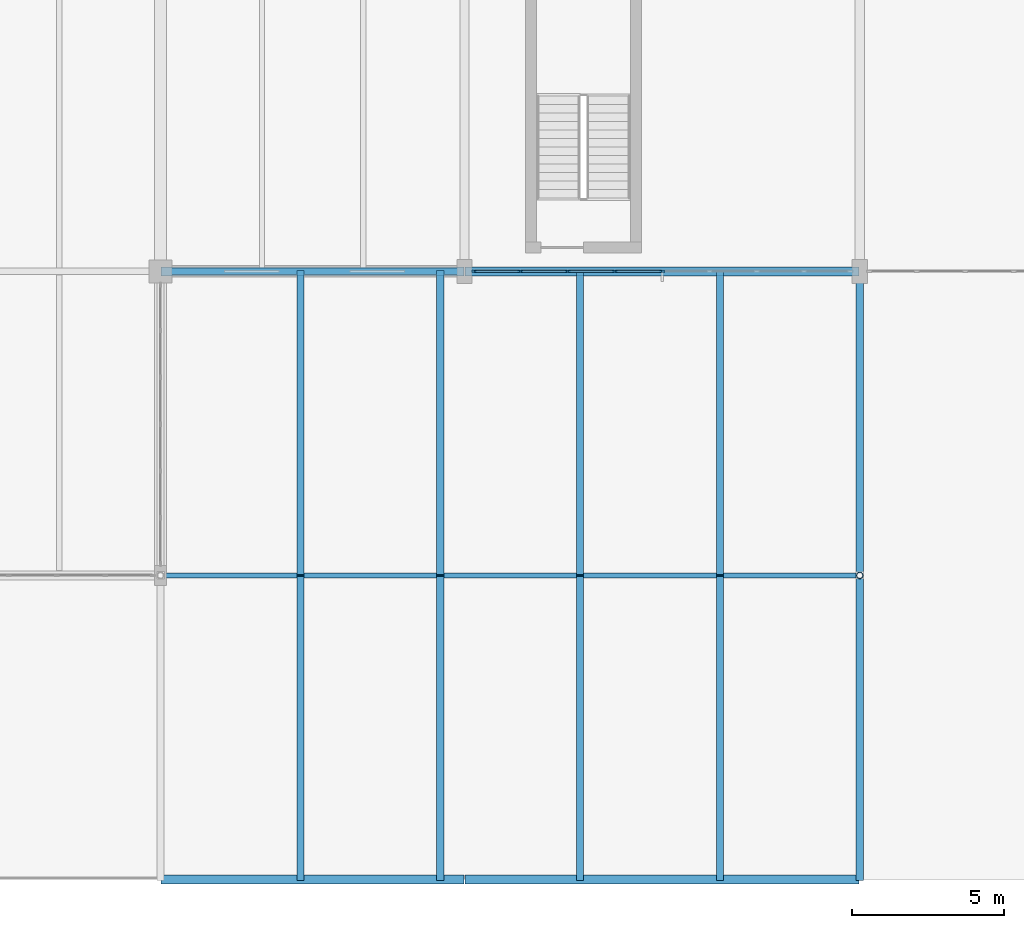
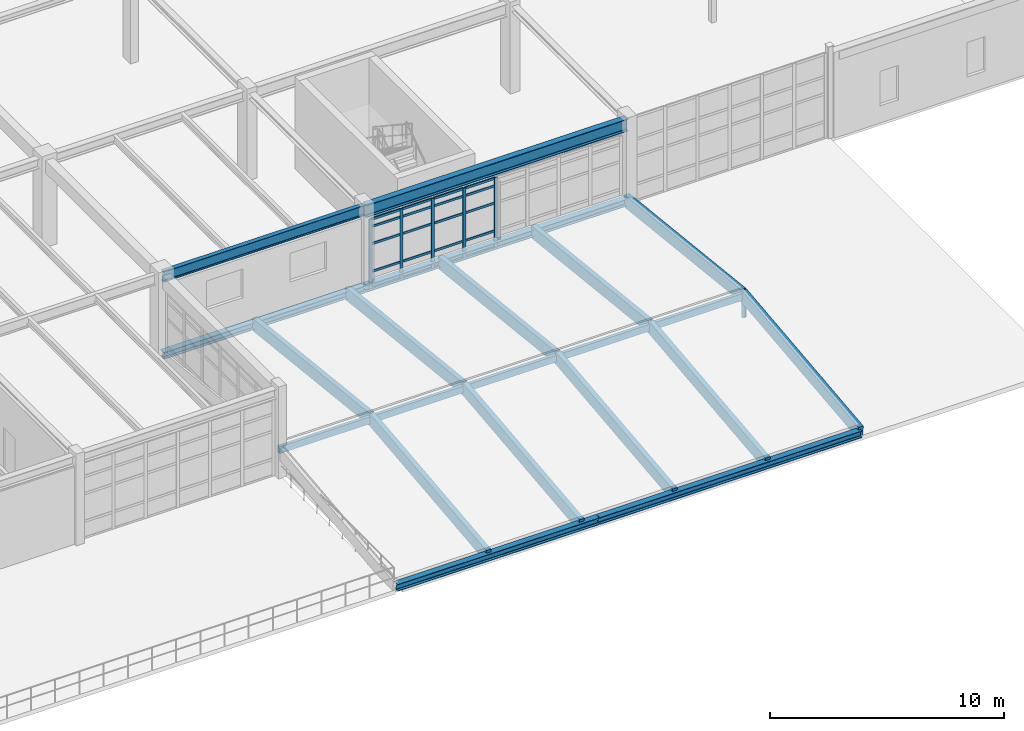
# One storey, part 28 of 139: 36 members, 7 beams, 1 element without a shape of its own.
"""IFC4 building model written with IfcOpenShell, lengths in metres."""

from ifc_helpers import new_model, si_unit, direction, frame, origin, origin_2d, place, context, subcontext, project, spatial, rectangle, hollow_circle, i_section, extrude, material, layer, layer_set, material_profile, profile_set, type_object, element, aggregate, save


model = new_model("IFC4")

# Units and contexts
model_context = context("Model", 3, precision=1e-05, world=origin(), true_north=direction((0.0, 1.0)))
body_context = subcontext(model_context, "Body", "Model", "MODEL_VIEW")
ifc_project = project(units=[si_unit("LENGTHUNIT", "METRE"), si_unit("AREAUNIT", "SQUARE_METRE"), si_unit("VOLUMEUNIT", "CUBIC_METRE"), si_unit("PLANEANGLEUNIT", "RADIAN"), si_unit("MASSUNIT", "GRAM", prefix="KILO"), si_unit("THERMODYNAMICTEMPERATUREUNIT", "KELVIN"), si_unit("POWERUNIT", "WATT")], contexts=[model_context])

# Site, building, storey
site_placement = place(None, origin())
site = spatial("IfcSite", under=ifc_project, at=site_placement, CompositionType="ELEMENT")
building_placement = place(site_placement, origin())
building = spatial("IfcBuilding", under=site, at=building_placement, Name="Korenveer Ferry Terminal", CompositionType="ELEMENT")
storey_placement = place(building_placement, frame((0.0, 0.0, 5.39990234375)))
storey = spatial("IfcBuildingStorey", under=building, at=storey_placement, Name="L01", CompositionType="ELEMENT", Elevation=5.39990234375)

# Curtain wall, members
ifc_material_1 = material(Name="Unitised bronze-and-glass curtain wall", Category="glass")
ifc_layer = layer(ifc_material_1, 0.159912109375)
ifc_layer_set = layer_set([ifc_layer], Name="Unitised bronze-and-glass curtain wall")
curtain_wall_type = type_object("IfcCurtainWallType", Name="ENV-CW-38", PredefinedType="USERDEFINED", material=ifc_layer_set)
curtain_wall_placement = place(storey_placement, frame((40.280029296875, 20.0, 0.0)))
curtain_wall = element("IfcCurtainWall", 1, at=curtain_wall_placement, inside=storey, type_object=curtain_wall_type, Name="Lancet curtain wall CWX-L01-X40-53-Y20-20", ObjectType="UNITISED CURTAIN WALL", PredefinedType="USERDEFINED")
ifc_material_2 = material(Name="Anodised bronze aluminium", Category="aluminium")
ifc_material_profile_1 = material_profile(ifc_material_2, rectangle(XDim=0.06005859375, YDim=0.159912109375, at=origin_2d()), Name="ALU 60x160")
ifc_profile_set_1 = profile_set([ifc_material_profile_1], Name="Anodised bronze aluminium")
member_type_1 = type_object("IfcMemberType", Name="ENV-CWM-60X160", PredefinedType="MULLION", material=ifc_profile_set_1)
member_1_placement = place(storey_placement, frame((40.31005859375, 20.0, 0.0), z_axis=(0.0, 0.0, 1.0), x_axis=(0.0, 1.0, 0.0)))
member_1 = element("IfcMember", 2, at=member_1_placement, type_object=member_type_1, Name="CW-38 mullion 1", PredefinedType="MULLION", context=body_context, shape_type="SweptSolid", body=[
    extrude(rectangle(XDim=0.06005859375, YDim=0.159912109375, at=origin_2d()), origin(), (0.0, 0.0, 1.0), 3.670166015625),
])
member_2_placement = place(storey_placement, frame((41.8349609375, 20.0, 0.0), z_axis=(0.0, 0.0, 1.0), x_axis=(0.0, 1.0, 0.0)))
member_2 = element("IfcMember", 3, at=member_2_placement, type_object=member_type_1, Name="CW-38 mullion 2", PredefinedType="MULLION", context=body_context, shape_type="SweptSolid", body=[
    extrude(rectangle(XDim=0.06005859375, YDim=0.159912109375, at=origin_2d()), origin(), (0.0, 0.0, 1.0), 3.670166015625),
])
member_3_placement = place(storey_placement, frame((43.389892578125, 20.0, 0.0), z_axis=(0.0, 0.0, 1.0), x_axis=(0.0, 1.0, 0.0)))
member_3 = element("IfcMember", 4, at=member_3_placement, type_object=member_type_1, Name="CW-38 mullion 3", PredefinedType="MULLION", context=body_context, shape_type="SweptSolid", body=[
    extrude(rectangle(XDim=0.06005859375, YDim=0.159912109375, at=origin_2d()), origin(), (0.0, 0.0, 1.0), 3.670166015625),
])
member_4_placement = place(storey_placement, frame((44.945068359375, 20.0, 0.0), z_axis=(0.0, 0.0, 1.0), x_axis=(0.0, 1.0, 0.0)))
member_4 = element("IfcMember", 5, at=member_4_placement, type_object=member_type_1, Name="CW-38 mullion 4", PredefinedType="MULLION", context=body_context, shape_type="SweptSolid", body=[
    extrude(rectangle(XDim=0.06005859375, YDim=0.159912109375, at=origin_2d()), origin(), (0.0, 0.0, 1.0), 3.670166015625),
])
member_5_placement = place(storey_placement, frame((46.5, 20.0, 0.0), z_axis=(0.0, 0.0, 1.0), x_axis=(0.0, 1.0, 0.0)))
member_5 = element("IfcMember", 6, at=member_5_placement, type_object=member_type_1, Name="CW-38 mullion 5", PredefinedType="MULLION", context=body_context, shape_type="SweptSolid", body=[
    extrude(rectangle(XDim=0.06005859375, YDim=0.159912109375, at=origin_2d()), origin(), (0.0, 0.0, 1.0), 3.670166015625),
])
ifc_material_profile_2 = material_profile(ifc_material_2, rectangle(XDim=0.06005859375, YDim=0.1201171875, at=origin_2d()), Name="ALU 60x120")
ifc_profile_set_2 = profile_set([ifc_material_profile_2], Name="Anodised bronze aluminium")
member_type_2 = type_object("IfcMemberType", Name="ENV-CWT-60X120", PredefinedType="USERDEFINED", material=ifc_profile_set_2)
member_6_placement = place(storey_placement, frame((40.340087890625, 20.0, 0.030029296875), z_axis=(1.0, 0.0, 0.0), x_axis=(0.0, 1.0, 0.0)))
member_6 = element("IfcMember", 7, at=member_6_placement, type_object=member_type_2, Name="CW-38 transom 1.1", ObjectType="TRANSOM", PredefinedType="USERDEFINED", context=body_context, shape_type="SweptSolid", body=[
    extrude(rectangle(XDim=0.06005859375, YDim=0.1201171875, at=origin_2d()), origin(), (0.0, 0.0, 1.0), 1.46484375),
])
member_7_placement = place(storey_placement, frame((40.340087890625, 20.0, 0.900146484375), z_axis=(1.0, 0.0, 0.0), x_axis=(0.0, 1.0, 0.0)))
member_7 = element("IfcMember", 8, at=member_7_placement, type_object=member_type_2, Name="CW-38 transom 1.2", ObjectType="TRANSOM", PredefinedType="USERDEFINED", context=body_context, shape_type="SweptSolid", body=[
    extrude(rectangle(XDim=0.06005859375, YDim=0.1201171875, at=origin_2d()), origin(), (0.0, 0.0, 1.0), 1.46484375),
])
member_8_placement = place(storey_placement, frame((40.340087890625, 20.0, 2.35009765625), z_axis=(1.0, 0.0, 0.0), x_axis=(0.0, 1.0, 0.0)))
member_8 = element("IfcMember", 9, at=member_8_placement, type_object=member_type_2, Name="CW-38 transom 1.3", ObjectType="TRANSOM", PredefinedType="USERDEFINED", context=body_context, shape_type="SweptSolid", body=[
    extrude(rectangle(XDim=0.06005859375, YDim=0.1201171875, at=origin_2d()), origin(), (0.0, 0.0, 1.0), 1.46484375),
])
member_9_placement = place(storey_placement, frame((40.340087890625, 20.0, 3.25), z_axis=(1.0, 0.0, 0.0), x_axis=(0.0, 1.0, 0.0)))
member_9 = element("IfcMember", 10, at=member_9_placement, type_object=member_type_2, Name="CW-38 transom 1.4", ObjectType="TRANSOM", PredefinedType="USERDEFINED", context=body_context, shape_type="SweptSolid", body=[
    extrude(rectangle(XDim=0.06005859375, YDim=0.1201171875, at=origin_2d()), origin(), (0.0, 0.0, 1.0), 1.46484375),
])
member_10_placement = place(storey_placement, frame((40.340087890625, 20.0, 3.64013671875), z_axis=(1.0, 0.0, 0.0), x_axis=(0.0, 1.0, 0.0)))
member_10 = element("IfcMember", 11, at=member_10_placement, type_object=member_type_2, Name="CW-38 transom 1.5", ObjectType="TRANSOM", PredefinedType="USERDEFINED", context=body_context, shape_type="SweptSolid", body=[
    extrude(rectangle(XDim=0.06005859375, YDim=0.1201171875, at=origin_2d()), origin(), (0.0, 0.0, 1.0), 1.46484375),
])
member_11_placement = place(storey_placement, frame((41.864990234375, 20.0, 0.030029296875), z_axis=(1.0, 0.0, 0.0), x_axis=(0.0, 1.0, 0.0)))
member_11 = element("IfcMember", 12, at=member_11_placement, type_object=member_type_2, Name="CW-38 transom 2.1", ObjectType="TRANSOM", PredefinedType="USERDEFINED", context=body_context, shape_type="SweptSolid", body=[
    extrude(rectangle(XDim=0.06005859375, YDim=0.1201171875, at=origin_2d()), origin(), (0.0, 0.0, 1.0), 1.4951171875),
])
member_12_placement = place(storey_placement, frame((41.864990234375, 20.0, 0.900146484375), z_axis=(1.0, 0.0, 0.0), x_axis=(0.0, 1.0, 0.0)))
member_12 = element("IfcMember", 13, at=member_12_placement, type_object=member_type_2, Name="CW-38 transom 2.2", ObjectType="TRANSOM", PredefinedType="USERDEFINED", context=body_context, shape_type="SweptSolid", body=[
    extrude(rectangle(XDim=0.06005859375, YDim=0.1201171875, at=origin_2d()), origin(), (0.0, 0.0, 1.0), 1.4951171875),
])
member_13_placement = place(storey_placement, frame((41.864990234375, 20.0, 2.35009765625), z_axis=(1.0, 0.0, 0.0), x_axis=(0.0, 1.0, 0.0)))
member_13 = element("IfcMember", 14, at=member_13_placement, type_object=member_type_2, Name="CW-38 transom 2.3", ObjectType="TRANSOM", PredefinedType="USERDEFINED", context=body_context, shape_type="SweptSolid", body=[
    extrude(rectangle(XDim=0.06005859375, YDim=0.1201171875, at=origin_2d()), origin(), (0.0, 0.0, 1.0), 1.4951171875),
])
member_14_placement = place(storey_placement, frame((41.864990234375, 20.0, 3.25), z_axis=(1.0, 0.0, 0.0), x_axis=(0.0, 1.0, 0.0)))
member_14 = element("IfcMember", 15, at=member_14_placement, type_object=member_type_2, Name="CW-38 transom 2.4", ObjectType="TRANSOM", PredefinedType="USERDEFINED", context=body_context, shape_type="SweptSolid", body=[
    extrude(rectangle(XDim=0.06005859375, YDim=0.1201171875, at=origin_2d()), origin(), (0.0, 0.0, 1.0), 1.4951171875),
])
member_15_placement = place(storey_placement, frame((41.864990234375, 20.0, 3.64013671875), z_axis=(1.0, 0.0, 0.0), x_axis=(0.0, 1.0, 0.0)))
member_15 = element("IfcMember", 16, at=member_15_placement, type_object=member_type_2, Name="CW-38 transom 2.5", ObjectType="TRANSOM", PredefinedType="USERDEFINED", context=body_context, shape_type="SweptSolid", body=[
    extrude(rectangle(XDim=0.06005859375, YDim=0.1201171875, at=origin_2d()), origin(), (0.0, 0.0, 1.0), 1.4951171875),
])
member_16_placement = place(storey_placement, frame((43.419921875, 20.0, 0.030029296875), z_axis=(1.0, 0.0, 0.0), x_axis=(0.0, 1.0, 0.0)))
member_16 = element("IfcMember", 17, at=member_16_placement, type_object=member_type_2, Name="CW-38 transom 3.1", ObjectType="TRANSOM", PredefinedType="USERDEFINED", context=body_context, shape_type="SweptSolid", body=[
    extrude(rectangle(XDim=0.06005859375, YDim=0.1201171875, at=origin_2d()), origin(), (0.0, 0.0, 1.0), 1.4951171875),
])
member_17_placement = place(storey_placement, frame((43.419921875, 20.0, 0.900146484375), z_axis=(1.0, 0.0, 0.0), x_axis=(0.0, 1.0, 0.0)))
member_17 = element("IfcMember", 18, at=member_17_placement, type_object=member_type_2, Name="CW-38 transom 3.2", ObjectType="TRANSOM", PredefinedType="USERDEFINED", context=body_context, shape_type="SweptSolid", body=[
    extrude(rectangle(XDim=0.06005859375, YDim=0.1201171875, at=origin_2d()), origin(), (0.0, 0.0, 1.0), 1.4951171875),
])
member_18_placement = place(storey_placement, frame((43.419921875, 20.0, 2.35009765625), z_axis=(1.0, 0.0, 0.0), x_axis=(0.0, 1.0, 0.0)))
member_18 = element("IfcMember", 19, at=member_18_placement, type_object=member_type_2, Name="CW-38 transom 3.3", ObjectType="TRANSOM", PredefinedType="USERDEFINED", context=body_context, shape_type="SweptSolid", body=[
    extrude(rectangle(XDim=0.06005859375, YDim=0.1201171875, at=origin_2d()), origin(), (0.0, 0.0, 1.0), 1.4951171875),
])
member_19_placement = place(storey_placement, frame((43.419921875, 20.0, 3.25), z_axis=(1.0, 0.0, 0.0), x_axis=(0.0, 1.0, 0.0)))
member_19 = element("IfcMember", 20, at=member_19_placement, type_object=member_type_2, Name="CW-38 transom 3.4", ObjectType="TRANSOM", PredefinedType="USERDEFINED", context=body_context, shape_type="SweptSolid", body=[
    extrude(rectangle(XDim=0.06005859375, YDim=0.1201171875, at=origin_2d()), origin(), (0.0, 0.0, 1.0), 1.4951171875),
])
member_20_placement = place(storey_placement, frame((43.419921875, 20.0, 3.64013671875), z_axis=(1.0, 0.0, 0.0), x_axis=(0.0, 1.0, 0.0)))
member_20 = element("IfcMember", 21, at=member_20_placement, type_object=member_type_2, Name="CW-38 transom 3.5", ObjectType="TRANSOM", PredefinedType="USERDEFINED", context=body_context, shape_type="SweptSolid", body=[
    extrude(rectangle(XDim=0.06005859375, YDim=0.1201171875, at=origin_2d()), origin(), (0.0, 0.0, 1.0), 1.4951171875),
])
member_21_placement = place(storey_placement, frame((44.97509765625, 20.0, 0.030029296875), z_axis=(1.0, 0.0, 0.0), x_axis=(0.0, 1.0, 0.0)))
member_21 = element("IfcMember", 22, at=member_21_placement, type_object=member_type_2, Name="CW-38 transom 4.1", ObjectType="TRANSOM", PredefinedType="USERDEFINED", context=body_context, shape_type="SweptSolid", body=[
    extrude(rectangle(XDim=0.06005859375, YDim=0.1201171875, at=origin_2d()), origin(), (0.0, 0.0, 1.0), 1.494873046875),
])
member_22_placement = place(storey_placement, frame((44.97509765625, 20.0, 0.900146484375), z_axis=(1.0, 0.0, 0.0), x_axis=(0.0, 1.0, 0.0)))
member_22 = element("IfcMember", 23, at=member_22_placement, type_object=member_type_2, Name="CW-38 transom 4.2", ObjectType="TRANSOM", PredefinedType="USERDEFINED", context=body_context, shape_type="SweptSolid", body=[
    extrude(rectangle(XDim=0.06005859375, YDim=0.1201171875, at=origin_2d()), origin(), (0.0, 0.0, 1.0), 1.494873046875),
])
member_23_placement = place(storey_placement, frame((44.97509765625, 20.0, 2.35009765625), z_axis=(1.0, 0.0, 0.0), x_axis=(0.0, 1.0, 0.0)))
member_23 = element("IfcMember", 24, at=member_23_placement, type_object=member_type_2, Name="CW-38 transom 4.3", ObjectType="TRANSOM", PredefinedType="USERDEFINED", context=body_context, shape_type="SweptSolid", body=[
    extrude(rectangle(XDim=0.06005859375, YDim=0.1201171875, at=origin_2d()), origin(), (0.0, 0.0, 1.0), 1.494873046875),
])
member_24_placement = place(storey_placement, frame((44.97509765625, 20.0, 3.25), z_axis=(1.0, 0.0, 0.0), x_axis=(0.0, 1.0, 0.0)))
member_24 = element("IfcMember", 25, at=member_24_placement, type_object=member_type_2, Name="CW-38 transom 4.4", ObjectType="TRANSOM", PredefinedType="USERDEFINED", context=body_context, shape_type="SweptSolid", body=[
    extrude(rectangle(XDim=0.06005859375, YDim=0.1201171875, at=origin_2d()), origin(), (0.0, 0.0, 1.0), 1.494873046875),
])
member_25_placement = place(storey_placement, frame((44.97509765625, 20.0, 3.64013671875), z_axis=(1.0, 0.0, 0.0), x_axis=(0.0, 1.0, 0.0)))
member_25 = element("IfcMember", 26, at=member_25_placement, type_object=member_type_2, Name="CW-38 transom 4.5", ObjectType="TRANSOM", PredefinedType="USERDEFINED", context=body_context, shape_type="SweptSolid", body=[
    extrude(rectangle(XDim=0.06005859375, YDim=0.1201171875, at=origin_2d()), origin(), (0.0, 0.0, 1.0), 1.494873046875),
])
aggregate(curtain_wall, [member_1, member_2, member_3, member_4, member_5, member_6, member_7, member_8, member_9, member_10, member_11, member_12, member_13, member_14, member_15, member_16, member_17, member_18, member_19, member_20, member_21, member_22, member_23, member_24, member_25])

# Beams
ifc_material_3 = material(Name="Steel S355", Category="steel")
ifc_material_profile_3 = material_profile(ifc_material_3, i_section(OverallWidth=0.300048828125, OverallDepth=0.360107421875, WebThickness=0.012451171875, FlangeThickness=0.0224609375, FilletRadius=0.027099609375, at=origin_2d()), Name="HEB 360")
ifc_profile_set_3 = profile_set([ifc_material_profile_3], Name="Steel S355")
beam_type_1 = type_object("IfcBeamType", Name="STR-BM-HEB360", PredefinedType="BEAM", material=ifc_profile_set_3)
beam_1_placement = place(storey_placement, frame((30.02001953125, 0.0, 0.18017578125), z_axis=(1.0, 0.0, 0.0), x_axis=(0.0, 1.0, 0.0)))
element("IfcBeam", 27, at=beam_1_placement, inside=storey, type_object=beam_type_1, Name="Canopy eave beam FCW 0 30", PredefinedType="BEAM", context=body_context, shape_type="SweptSolid", body=[
    extrude(i_section(OverallWidth=0.300048828125, OverallDepth=0.360107421875, WebThickness=0.012451171875, FlangeThickness=0.0224609375, FilletRadius=0.027099609375, at=origin_2d()), origin(), (0.0, 0.0, 1.0), 9.9599609375),
])
beam_2_placement = place(storey_placement, frame((40.02001953125, 0.0, 0.18017578125), z_axis=(1.0, 0.0, 0.0), x_axis=(0.0, 1.0, 0.0)))
element("IfcBeam", 28, at=beam_2_placement, inside=storey, type_object=beam_type_1, Name="Canopy eave beam FCW 0 40", PredefinedType="BEAM", context=body_context, shape_type="SweptSolid", body=[
    extrude(i_section(OverallWidth=0.300048828125, OverallDepth=0.360107421875, WebThickness=0.012451171875, FlangeThickness=0.0224609375, FilletRadius=0.027099609375, at=origin_2d()), origin(), (0.0, 0.0, 1.0), 12.9599609375),
])
beam_3_placement = place(storey_placement, frame((30.02001953125, 20.0, 0.18017578125), z_axis=(1.0, 0.0, 0.0), x_axis=(0.0, 1.0, 0.0)))
element("IfcBeam", 29, at=beam_3_placement, inside=storey, type_object=beam_type_1, Name="Canopy eave beam FCW 20 30", PredefinedType="BEAM", context=body_context, shape_type="SweptSolid", body=[
    extrude(i_section(OverallWidth=0.300048828125, OverallDepth=0.360107421875, WebThickness=0.012451171875, FlangeThickness=0.0224609375, FilletRadius=0.027099609375, at=origin_2d()), origin(), (0.0, 0.0, 1.0), 9.9599609375),
])
beam_4_placement = place(storey_placement, frame((40.02001953125, 20.0, 0.18017578125), z_axis=(1.0, 0.0, 0.0), x_axis=(0.0, 1.0, 0.0)))
element("IfcBeam", 30, at=beam_4_placement, inside=storey, type_object=beam_type_1, Name="Canopy eave beam FCW 20 40", PredefinedType="BEAM", context=body_context, shape_type="SweptSolid", body=[
    extrude(i_section(OverallWidth=0.300048828125, OverallDepth=0.360107421875, WebThickness=0.012451171875, FlangeThickness=0.0224609375, FilletRadius=0.027099609375, at=origin_2d()), origin(), (0.0, 0.0, 1.0), 12.9599609375),
])
ifc_material_profile_4 = material_profile(ifc_material_3, i_section(OverallWidth=0.300048828125, OverallDepth=0.64990234375, WebThickness=0.01611328125, FlangeThickness=0.031005859375, FilletRadius=0.027099609375, at=origin_2d()), Name="HEB 650")
ifc_profile_set_4 = profile_set([ifc_material_profile_4], Name="Steel S355")
beam_type_2 = type_object("IfcBeamType", Name="STR-BM-HEB650", PredefinedType="BEAM", material=ifc_profile_set_4)
beam_5_placement = place(storey_placement, frame((40.02001953125, 20.0, 4.22509765625), z_axis=(1.0, 0.0, 0.0), x_axis=(0.0, 1.0, 0.0)))
element("IfcBeam", 31, at=beam_5_placement, inside=storey, type_object=beam_type_2, Name="Primary X girder BMX-L02-X40-53-Y20", PredefinedType="BEAM", context=body_context, shape_type="SweptSolid", body=[
    extrude(i_section(OverallWidth=0.300048828125, OverallDepth=0.64990234375, WebThickness=0.01611328125, FlangeThickness=0.031005859375, FilletRadius=0.027099609375, at=origin_2d()), origin(), (0.0, 0.0, 1.0), 12.9599609375),
])
ifc_material_profile_5 = material_profile(ifc_material_3, i_section(OverallWidth=0.2099609375, OverallDepth=0.550048828125, WebThickness=0.010986328125, FlangeThickness=0.01708984375, FilletRadius=0.02392578125, at=origin_2d()), Name="IPE 550")
ifc_profile_set_5 = profile_set([ifc_material_profile_5], Name="Steel S355")
beam_type_3 = type_object("IfcBeamType", Name="STR-BM-IPE550", PredefinedType="BEAM", material=ifc_profile_set_5)
beam_6_placement = place(storey_placement, frame((30.02001953125, 20.0, 4.275146484375), z_axis=(1.0, 0.0, 0.0), x_axis=(0.0, 1.0, 0.0)))
element("IfcBeam", 32, at=beam_6_placement, inside=storey, type_object=beam_type_3, Name="Primary X girder BMX-L02-X30-40-Y20", PredefinedType="BEAM", context=body_context, shape_type="SweptSolid", body=[
    extrude(i_section(OverallWidth=0.2099609375, OverallDepth=0.550048828125, WebThickness=0.010986328125, FlangeThickness=0.01708984375, FilletRadius=0.02392578125, at=origin_2d()), origin(), (0.0, 0.0, 1.0), 9.9599609375),
])

# Members
ifc_material_4 = material(Name="Glulam GL28h", Category="wood")
ifc_material_profile_6 = material_profile(ifc_material_4, rectangle(XDim=0.239990234375, YDim=0.639892578125, at=origin_2d()), Name="GL 240x640")
ifc_profile_set_6 = profile_set([ifc_material_profile_6], Name="Glulam GL28h")
member_type_3 = type_object("IfcMemberType", Name="STR-RAF-GL240", PredefinedType="RAFTER", material=ifc_profile_set_6)
for number, where, z_axis, x_axis, name in (
    (33, (34.60009765625, 0.0, 0.18017578125), (0.0, 0.994005938353, 0.109326092585), (-1.0, 0.0, 0.0), "Canopy glulam rafter 183"),
    (34, (34.60009765625, 10.0, 1.280029296875), (0.0, 0.994005938353, -0.109326092585), (-1.0, 0.0, 0.0), "Canopy glulam rafter 184"),
    (35, (39.199951171875, 0.0, 0.18017578125), (0.0, 0.994005938353, 0.109326092585), (-1.0, 0.0, 0.0), "Canopy glulam rafter 185"),
    (36, (39.199951171875, 10.0, 1.280029296875), (0.0, 0.994005938353, -0.109326092585), (-1.0, 0.0, 0.0), "Canopy glulam rafter 186"),
    (37, (43.800048828125, 0.0, 0.18017578125), (0.0, 0.994005938353, 0.109326092585), (-1.0, 0.0, 0.0), "Canopy glulam rafter 187"),
    (38, (43.800048828125, 10.0, 1.280029296875), (0.0, 0.994005938353, -0.109326092585), (-1.0, 0.0, 0.0), "Canopy glulam rafter 188"),
    (39, (48.39990234375, 0.0, 0.18017578125), (0.0, 0.994005938353, 0.109326092585), (-1.0, 0.0, 0.0), "Canopy glulam rafter 189"),
    (40, (48.39990234375, 10.0, 1.280029296875), (0.0, 0.994005938353, -0.109326092585), (-1.0, 0.0, 0.0), "Canopy glulam rafter 190"),
    (41, (53.0, 0.0, 0.18017578125), (0.0, 0.994005938353, 0.109326092585), (-1.0, 0.0, 0.0), "Canopy glulam rafter 191"),
    (42, (53.0, 10.0, 1.280029296875), (0.0, 0.994005938353, -0.109326092585), (-1.0, 0.0, 0.0), "Canopy glulam rafter 192"),
):
    element("IfcMember", number, at=place(storey_placement, frame(where, z_axis=z_axis, x_axis=x_axis)), inside=storey, type_object=member_type_3, Name=name, PredefinedType="RAFTER", context=body_context, shape_type="SweptSolid", body=[
        extrude(rectangle(XDim=0.239990234375, YDim=0.639892578125, at=origin_2d()), origin(), (0.0, 0.0, 1.0), 10.060302734375),
    ])

# Beam
ifc_material_profile_7 = material_profile(ifc_material_4, rectangle(XDim=0.159912109375, YDim=0.360107421875, at=origin_2d()), Name="GL 160x360")
ifc_profile_set_7 = profile_set([ifc_material_profile_7], Name="Glulam GL28h")
beam_type_4 = type_object("IfcBeamType", Name="STR-RFG-GL160", PredefinedType="USERDEFINED", material=ifc_profile_set_7)
beam_7_placement = place(storey_placement, frame((30.0, 10.0, 1.280029296875), z_axis=(1.0, 0.0, 0.0), x_axis=(0.0, 1.0, 0.0)))
element("IfcBeam", 43, at=beam_7_placement, inside=storey, type_object=beam_type_4, Name="Forecourt canopy ridge beam FCW", ObjectType="ROOF GIRDER", PredefinedType="USERDEFINED", context=body_context, shape_type="SweptSolid", body=[
    extrude(rectangle(XDim=0.159912109375, YDim=0.360107421875, at=origin_2d()), origin(), (0.0, 0.0, 1.0), 23.0),
])

# Member
ifc_material_profile_8 = material_profile(ifc_material_3, hollow_circle(Radius=0.109619140625, WallThickness=0.012451171875, at=origin_2d()), Name="CHS 219.1x12.5")
ifc_profile_set_8 = profile_set([ifc_material_profile_8], Name="Steel S355")
member_type_4 = type_object("IfcMemberType", Name="STR-STT-CHS219", PredefinedType="STRUT", material=ifc_profile_set_8)
member_26_placement = place(storey_placement, frame((53.0, 10.0, 0.18017578125), z_axis=(0.0, 0.0, 1.0), x_axis=(1.0, 0.0, 0.0)))
element("IfcMember", 44, at=member_26_placement, inside=storey, type_object=member_type_4, Name="Canopy ridge king-post STTFC-FCW-X53", PredefinedType="STRUT", context=body_context, shape_type="SweptSolid", body=[
    extrude(hollow_circle(Radius=0.109619140625, WallThickness=0.012451171875, at=origin_2d()), origin(), (0.0, 0.0, 1.0), 1.099853515625),
])

save(model, "model.ifc")
